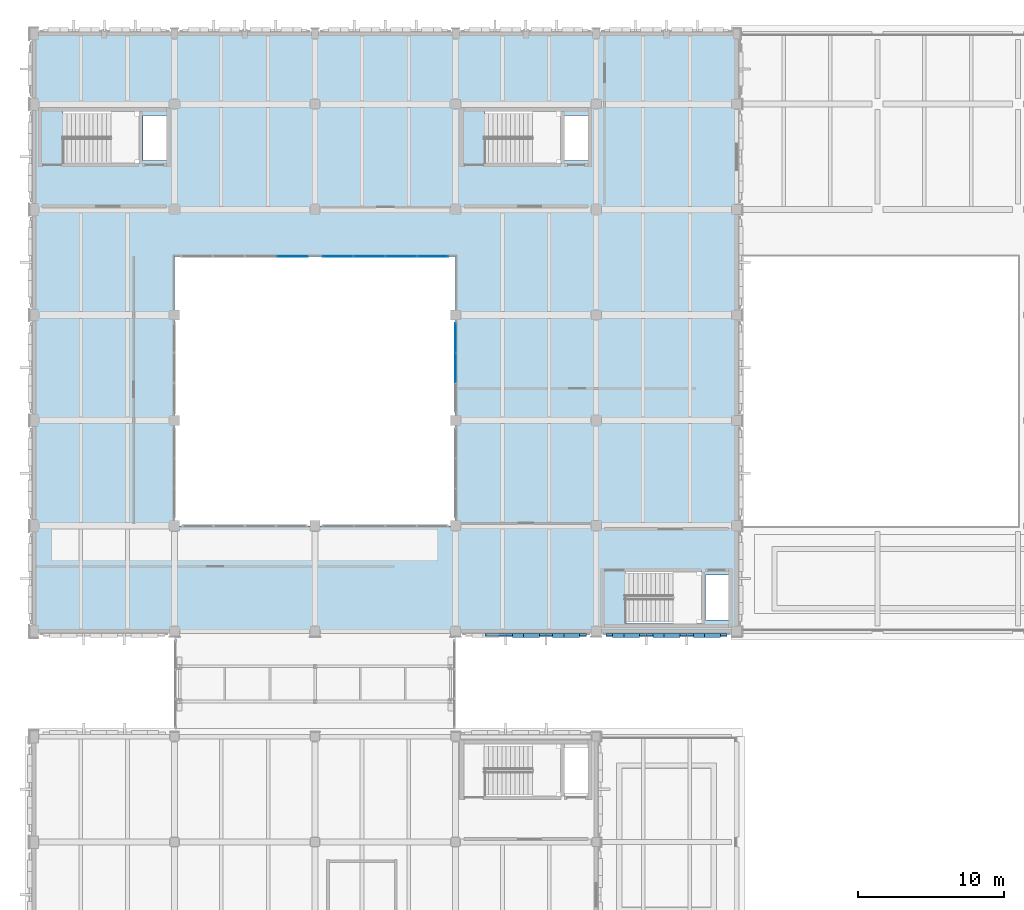
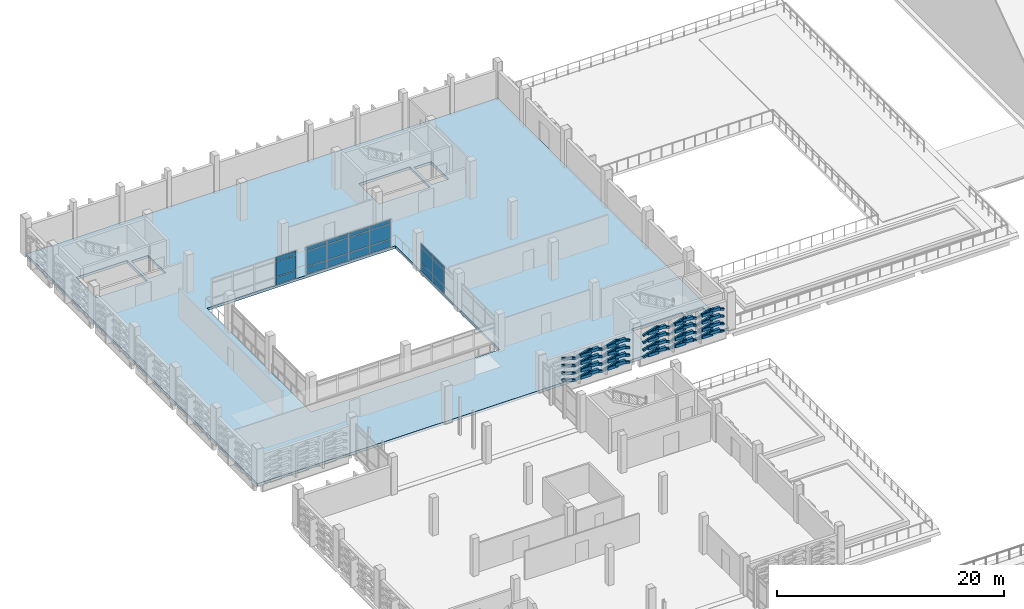
# One storey, part 98 of 134: 105 plates, 1 slab, 3 elements without a shape of their own.
"""IFC4 building model written with IfcOpenShell, lengths in metres."""

from ifc_helpers import new_model, si_unit, direction, frame, origin, origin_2d, place, context, subcontext, project, spatial, polyline, rectangle, hollow_rectangle, outline, extrude, material, layer, layer_set, material_profile, profile_set, type_object, element, aggregate, save


model = new_model("IFC4")

# Units and contexts
model_context = context("Model", 3, precision=1e-05, world=origin(), true_north=direction((0.0, 1.0)))
body_context = subcontext(model_context, "Body", "Model", "MODEL_VIEW")
ifc_project = project(units=[si_unit("LENGTHUNIT", "METRE"), si_unit("AREAUNIT", "SQUARE_METRE"), si_unit("VOLUMEUNIT", "CUBIC_METRE"), si_unit("PLANEANGLEUNIT", "RADIAN"), si_unit("MASSUNIT", "GRAM", prefix="KILO")], contexts=[model_context])

# Site, building, storey
site_placement = place(None, origin())
site = spatial("IfcSite", under=ifc_project, at=site_placement, CompositionType="ELEMENT")
building_placement = place(site_placement, origin())
building = spatial("IfcBuilding", under=site, at=building_placement, Name="Asteropetra Specialist Clinic", CompositionType="ELEMENT")
storey_placement = place(building_placement, frame((0.0, 0.0, 8.5)))
storey = spatial("IfcBuildingStorey", under=building, at=storey_placement, Name="L02", CompositionType="ELEMENT", Elevation=8.5)

# Plates
ifc_material_1 = material(Name="Chevron emerald aluminium 6063-T6", Category="aluminium")
ifc_material_profile = material_profile(ifc_material_1, hollow_rectangle(XDim=0.199951171875, YDim=0.199951171875, WallThickness=0.010009765625, InnerFilletRadius=0.008056640625, OuterFilletRadius=0.01611328125, at=origin_2d()), Name="SHS 200x200x10.0")
ifc_profile_set = profile_set([ifc_material_profile], Name="Chevron emerald aluminium 6063-T6")
plate_type_1 = type_object("IfcPlateType", Name="CHV-RIB-200", PredefinedType="SHEET", material=ifc_profile_set)
for number, where, z_axis, x_axis, name in (
    (1, (30.8466796875, 69.35791015625, 0.484130859375), (0.952436086829, 0.0, -0.304738413241), (0.0, 1.0, 0.0), "Chevron Facade Screen Fin CVR-0932"),
    (2, (30.8466796875, 69.35791015625, 1.254150390625), (0.952436086829, 0.0, -0.304738413241), (0.0, 1.0, 0.0), "Chevron Facade Screen Fin CVR-0934"),
    (3, (30.8466796875, 69.35791015625, 2.05419921875), (0.952436086829, 0.0, -0.304738413241), (0.0, 1.0, 0.0), "Chevron Facade Screen Fin CVR-0936"),
    (4, (30.8466796875, 69.35791015625, 2.833984375), (0.952436086829, 0.0, -0.304738413241), (0.0, 1.0, 0.0), "Chevron Facade Screen Fin CVR-0938"),
    (5, (32.243408203125, 69.35791015625, 0.050048828125), (0.952436086829, 0.0, 0.304738413241), (0.0, 1.0, 0.0), "Chevron Facade Screen Fin CVR-0939"),
    (6, (33.60009765625, 69.35791015625, 0.484130859375), (0.952436086829, 0.0, -0.304738413241), (0.0, 1.0, 0.0), "Chevron Facade Screen Fin CVR-0940"),
    (7, (32.243408203125, 69.35791015625, 0.820068359375), (0.952436086829, 0.0, 0.304738413241), (0.0, 1.0, 0.0), "Chevron Facade Screen Fin CVR-0941"),
    (8, (33.60009765625, 69.35791015625, 1.254150390625), (0.952436086829, 0.0, -0.304738413241), (0.0, 1.0, 0.0), "Chevron Facade Screen Fin CVR-0942"),
    (9, (32.243408203125, 69.35791015625, 1.6201171875), (0.952436086829, 0.0, 0.304738413241), (0.0, 1.0, 0.0), "Chevron Facade Screen Fin CVR-0943"),
    (10, (33.60009765625, 69.35791015625, 2.05419921875), (0.952436086829, 0.0, -0.304738413241), (0.0, 1.0, 0.0), "Chevron Facade Screen Fin CVR-0944"),
    (11, (32.243408203125, 69.35791015625, 2.39990234375), (0.952436086829, 0.0, 0.304738413241), (0.0, 1.0, 0.0), "Chevron Facade Screen Fin CVR-0945"),
    (12, (33.60009765625, 69.35791015625, 2.833984375), (0.952436086829, 0.0, -0.304738413241), (0.0, 1.0, 0.0), "Chevron Facade Screen Fin CVR-0946"),
    (13, (34.99658203125, 69.35791015625, 0.050048828125), (0.952436086829, 0.0, 0.304738413241), (0.0, 1.0, 0.0), "Chevron Facade Screen Fin CVR-0947"),
    (14, (36.353271484375, 69.35791015625, 0.484130859375), (0.952436086829, 0.0, -0.304738413241), (0.0, 1.0, 0.0), "Chevron Facade Screen Fin CVR-0948"),
    (15, (34.99658203125, 69.35791015625, 0.820068359375), (0.952436086829, 0.0, 0.304738413241), (0.0, 1.0, 0.0), "Chevron Facade Screen Fin CVR-0949"),
    (16, (36.353271484375, 69.35791015625, 1.254150390625), (0.952436086829, 0.0, -0.304738413241), (0.0, 1.0, 0.0), "Chevron Facade Screen Fin CVR-0950"),
    (17, (34.99658203125, 69.35791015625, 1.6201171875), (0.952436086829, 0.0, 0.304738413241), (0.0, 1.0, 0.0), "Chevron Facade Screen Fin CVR-0951"),
    (18, (36.353271484375, 69.35791015625, 2.05419921875), (0.952436086829, 0.0, -0.304738413241), (0.0, 1.0, 0.0), "Chevron Facade Screen Fin CVR-0952"),
    (19, (34.99658203125, 69.35791015625, 2.39990234375), (0.952436086829, 0.0, 0.304738413241), (0.0, 1.0, 0.0), "Chevron Facade Screen Fin CVR-0953"),
    (20, (36.353271484375, 69.35791015625, 2.833984375), (0.952436086829, 0.0, -0.304738413241), (0.0, 1.0, 0.0), "Chevron Facade Screen Fin CVR-0954"),
    (21, (39.090087890625, 69.35791015625, 0.050048828125), (0.952436086829, 0.0, 0.304738413241), (0.0, 1.0, 0.0), "Chevron Facade Screen Fin CVR-0979"),
):
    element("IfcPlate", number, at=place(storey_placement, frame(where, z_axis=z_axis, x_axis=x_axis)), inside=storey, type_object=plate_type_1, Name=name, PredefinedType="SHEET", context=body_context, shape_type="SweptSolid", body=[
        extrude(hollow_rectangle(XDim=0.199951171875, YDim=0.199951171875, WallThickness=0.010009765625, InnerFilletRadius=0.008056640625, OuterFilletRadius=0.01611328125, at=origin_2d()), origin(), (0.0, 0.0, 1.0), 1.424560546875),
    ])
plate_1_placement = place(storey_placement, frame((40.44677734375, 69.35791015625, 0.484130859375), z_axis=(0.952420166348, 0.0, -0.304788166985), x_axis=(0.0, 1.0, 0.0)))
element("IfcPlate", 22, at=plate_1_placement, inside=storey, type_object=plate_type_1, Name="Chevron Facade Screen Fin CVR-0980", PredefinedType="SHEET", context=body_context, shape_type="SweptSolid", body=[
    extrude(hollow_rectangle(XDim=0.199951171875, YDim=0.199951171875, WallThickness=0.010009765625, InnerFilletRadius=0.008056640625, OuterFilletRadius=0.01611328125, at=origin_2d()), origin(), (0.0, 0.0, 1.0), 1.42431640625),
])
plate_2_placement = place(storey_placement, frame((39.090087890625, 69.35791015625, 0.820068359375), z_axis=(0.952436086829, 0.0, 0.304738413241), x_axis=(0.0, 1.0, 0.0)))
element("IfcPlate", 23, at=plate_2_placement, inside=storey, type_object=plate_type_1, Name="Chevron Facade Screen Fin CVR-0981", PredefinedType="SHEET", context=body_context, shape_type="SweptSolid", body=[
    extrude(hollow_rectangle(XDim=0.199951171875, YDim=0.199951171875, WallThickness=0.010009765625, InnerFilletRadius=0.008056640625, OuterFilletRadius=0.01611328125, at=origin_2d()), origin(), (0.0, 0.0, 1.0), 1.424560546875),
])
plate_3_placement = place(storey_placement, frame((40.44677734375, 69.35791015625, 1.254150390625), z_axis=(0.952420166348, 0.0, -0.304788166985), x_axis=(0.0, 1.0, 0.0)))
element("IfcPlate", 24, at=plate_3_placement, inside=storey, type_object=plate_type_1, Name="Chevron Facade Screen Fin CVR-0982", PredefinedType="SHEET", context=body_context, shape_type="SweptSolid", body=[
    extrude(hollow_rectangle(XDim=0.199951171875, YDim=0.199951171875, WallThickness=0.010009765625, InnerFilletRadius=0.008056640625, OuterFilletRadius=0.01611328125, at=origin_2d()), origin(), (0.0, 0.0, 1.0), 1.42431640625),
])
plate_4_placement = place(storey_placement, frame((39.090087890625, 69.35791015625, 1.6201171875), z_axis=(0.952436086829, 0.0, 0.304738413241), x_axis=(0.0, 1.0, 0.0)))
element("IfcPlate", 25, at=plate_4_placement, inside=storey, type_object=plate_type_1, Name="Chevron Facade Screen Fin CVR-0983", PredefinedType="SHEET", context=body_context, shape_type="SweptSolid", body=[
    extrude(hollow_rectangle(XDim=0.199951171875, YDim=0.199951171875, WallThickness=0.010009765625, InnerFilletRadius=0.008056640625, OuterFilletRadius=0.01611328125, at=origin_2d()), origin(), (0.0, 0.0, 1.0), 1.424560546875),
])
plate_5_placement = place(storey_placement, frame((40.44677734375, 69.35791015625, 2.05419921875), z_axis=(0.952420166348, 0.0, -0.304788166985), x_axis=(0.0, 1.0, 0.0)))
element("IfcPlate", 26, at=plate_5_placement, inside=storey, type_object=plate_type_1, Name="Chevron Facade Screen Fin CVR-0984", PredefinedType="SHEET", context=body_context, shape_type="SweptSolid", body=[
    extrude(hollow_rectangle(XDim=0.199951171875, YDim=0.199951171875, WallThickness=0.010009765625, InnerFilletRadius=0.008056640625, OuterFilletRadius=0.01611328125, at=origin_2d()), origin(), (0.0, 0.0, 1.0), 1.42431640625),
])
plate_6_placement = place(storey_placement, frame((39.090087890625, 69.35791015625, 2.39990234375), z_axis=(0.952436086829, 0.0, 0.304738413241), x_axis=(0.0, 1.0, 0.0)))
element("IfcPlate", 27, at=plate_6_placement, inside=storey, type_object=plate_type_1, Name="Chevron Facade Screen Fin CVR-0985", PredefinedType="SHEET", context=body_context, shape_type="SweptSolid", body=[
    extrude(hollow_rectangle(XDim=0.199951171875, YDim=0.199951171875, WallThickness=0.010009765625, InnerFilletRadius=0.008056640625, OuterFilletRadius=0.01611328125, at=origin_2d()), origin(), (0.0, 0.0, 1.0), 1.424560546875),
])
plate_7_placement = place(storey_placement, frame((40.44677734375, 69.35791015625, 2.833984375), z_axis=(0.952420166348, 0.0, -0.304788166985), x_axis=(0.0, 1.0, 0.0)))
element("IfcPlate", 28, at=plate_7_placement, inside=storey, type_object=plate_type_1, Name="Chevron Facade Screen Fin CVR-0986", PredefinedType="SHEET", context=body_context, shape_type="SweptSolid", body=[
    extrude(hollow_rectangle(XDim=0.199951171875, YDim=0.199951171875, WallThickness=0.010009765625, InnerFilletRadius=0.008056640625, OuterFilletRadius=0.01611328125, at=origin_2d()), origin(), (0.0, 0.0, 1.0), 1.42431640625),
])
for number, where, z_axis, x_axis, name in (
    (29, (41.84326171875, 69.35791015625, 0.050048828125), (0.952436086829, 0.0, 0.304738413241), (0.0, 1.0, 0.0), "Chevron Facade Screen Fin CVR-0987"),
    (30, (43.199951171875, 69.35791015625, 0.484130859375), (0.952436086829, 0.0, -0.304738413241), (0.0, 1.0, 0.0), "Chevron Facade Screen Fin CVR-0988"),
    (31, (41.84326171875, 69.35791015625, 0.820068359375), (0.952436086829, 0.0, 0.304738413241), (0.0, 1.0, 0.0), "Chevron Facade Screen Fin CVR-0989"),
    (32, (43.199951171875, 69.35791015625, 1.254150390625), (0.952436086829, 0.0, -0.304738413241), (0.0, 1.0, 0.0), "Chevron Facade Screen Fin CVR-0990"),
    (33, (41.84326171875, 69.35791015625, 1.6201171875), (0.952436086829, 0.0, 0.304738413241), (0.0, 1.0, 0.0), "Chevron Facade Screen Fin CVR-0991"),
    (34, (43.199951171875, 69.35791015625, 2.05419921875), (0.952436086829, 0.0, -0.304738413241), (0.0, 1.0, 0.0), "Chevron Facade Screen Fin CVR-0992"),
    (35, (41.84326171875, 69.35791015625, 2.39990234375), (0.952436086829, 0.0, 0.304738413241), (0.0, 1.0, 0.0), "Chevron Facade Screen Fin CVR-0993"),
    (36, (43.199951171875, 69.35791015625, 2.833984375), (0.952436086829, 0.0, -0.304738413241), (0.0, 1.0, 0.0), "Chevron Facade Screen Fin CVR-0994"),
    (37, (44.5966796875, 69.35791015625, 0.050048828125), (0.952436086829, 0.0, 0.304738413241), (0.0, 1.0, 0.0), "Chevron Facade Screen Fin CVR-0995"),
    (38, (45.953369140625, 69.35791015625, 0.484130859375), (0.952436086829, 0.0, -0.304738413241), (0.0, 1.0, 0.0), "Chevron Facade Screen Fin CVR-0996"),
    (39, (44.5966796875, 69.35791015625, 0.820068359375), (0.952436086829, 0.0, 0.304738413241), (0.0, 1.0, 0.0), "Chevron Facade Screen Fin CVR-0997"),
    (40, (45.953369140625, 69.35791015625, 1.254150390625), (0.952436086829, 0.0, -0.304738413241), (0.0, 1.0, 0.0), "Chevron Facade Screen Fin CVR-0998"),
    (41, (44.5966796875, 69.35791015625, 1.6201171875), (0.952436086829, 0.0, 0.304738413241), (0.0, 1.0, 0.0), "Chevron Facade Screen Fin CVR-0999"),
    (42, (45.953369140625, 69.35791015625, 2.05419921875), (0.952436086829, 0.0, -0.304738413241), (0.0, 1.0, 0.0), "Chevron Facade Screen Fin CVR-1000"),
    (43, (44.5966796875, 69.35791015625, 2.39990234375), (0.952436086829, 0.0, 0.304738413241), (0.0, 1.0, 0.0), "Chevron Facade Screen Fin CVR-1001"),
    (44, (45.953369140625, 69.35791015625, 2.833984375), (0.952436086829, 0.0, -0.304738413241), (0.0, 1.0, 0.0), "Chevron Facade Screen Fin CVR-1002"),
):
    element("IfcPlate", number, at=place(storey_placement, frame(where, z_axis=z_axis, x_axis=x_axis)), inside=storey, type_object=plate_type_1, Name=name, PredefinedType="SHEET", context=body_context, shape_type="SweptSolid", body=[
        extrude(hollow_rectangle(XDim=0.199951171875, YDim=0.199951171875, WallThickness=0.010009765625, InnerFilletRadius=0.008056640625, OuterFilletRadius=0.01611328125, at=origin_2d()), origin(), (0.0, 0.0, 1.0), 1.424560546875),
    ])

# Curtain wall, plates
ifc_material_2 = material(Name="Aluminium and low-E glass", Category="aluminium")
ifc_layer_1 = layer(ifc_material_2, 0.179931640625)
ifc_layer_set_1 = layer_set([ifc_layer_1], Name="Aluminium and low-E glass")
curtain_wall_type_1 = type_object("IfcCurtainWallType", Name="CW-SYS-04", PredefinedType="USERDEFINED", material=ifc_layer_set_1)
curtain_wall_1_placement = place(storey_placement, origin())
curtain_wall_1 = element("IfcCurtainWall", 45, at=curtain_wall_1_placement, inside=storey, type_object=curtain_wall_type_1, Name="Curtain Wall CW-036", ObjectType="UNITISED CURTAIN WALL", PredefinedType="USERDEFINED")
ifc_material_3 = material(Name="Low-E double glazing", Category="glass")
ifc_layer_2 = layer(ifc_material_3, 0.028076171875)
ifc_layer_set_2 = layer_set([ifc_layer_2], Name="Low-E double glazing")
plate_type_2 = type_object("IfcPlateType", Name="CWP-GLZ-28", PredefinedType="CURTAIN_PANEL", material=ifc_layer_set_2)
plate_8_placement = place(storey_placement, frame((27.251220703125, 95.199951171875, 0.074951171875), z_axis=(0.0, 0.0, 1.0), x_axis=(-1.0, 0.0, 0.0)))
plate_8 = element("IfcPlate", 46, at=plate_8_placement, type_object=plate_type_2, Name="CW-036 panel 1.1", PredefinedType="CURTAIN_PANEL", context=body_context, shape_type="SweptSolid", body=[
    extrude(rectangle(XDim=2.0673828125, YDim=0.028076171875, at=origin_2d()), origin(), (0.0, 0.0, 1.0), 0.78759765625),
])
plate_9_placement = place(storey_placement, frame((27.251220703125, 95.199951171875, 0.9375), z_axis=(0.0, 0.0, 1.0), x_axis=(-1.0, 0.0, 0.0)))
plate_9 = element("IfcPlate", 47, at=plate_9_placement, type_object=plate_type_2, Name="CW-036 panel 1.2", PredefinedType="CURTAIN_PANEL", context=body_context, shape_type="SweptSolid", body=[
    extrude(rectangle(XDim=2.0673828125, YDim=0.028076171875, at=origin_2d()), origin(), (0.0, 0.0, 1.0), 1.60498046875),
])
plate_10_placement = place(storey_placement, frame((27.251220703125, 95.199951171875, 2.61767578125), z_axis=(0.0, 0.0, 1.0), x_axis=(-1.0, 0.0, 0.0)))
plate_10 = element("IfcPlate", 48, at=plate_10_placement, type_object=plate_type_2, Name="CW-036 panel 1.3", PredefinedType="CURTAIN_PANEL", context=body_context, shape_type="SweptSolid", body=[
    extrude(rectangle(XDim=2.0673828125, YDim=0.028076171875, at=origin_2d()), origin(), (0.0, 0.0, 1.0), 0.387451171875),
])
plate_11_placement = place(storey_placement, frame((25.090087890625, 95.199951171875, 0.074951171875), z_axis=(0.0, 0.0, 1.0), x_axis=(-1.0, 0.0, 0.0)))
plate_11 = element("IfcPlate", 49, at=plate_11_placement, type_object=plate_type_2, Name="CW-036 panel 2.1", PredefinedType="CURTAIN_PANEL", context=body_context, shape_type="SweptSolid", body=[
    extrude(rectangle(XDim=2.10498046875, YDim=0.028076171875, at=origin_2d()), origin(), (0.0, 0.0, 1.0), 0.78759765625),
])
plate_12_placement = place(storey_placement, frame((25.090087890625, 95.199951171875, 0.9375), z_axis=(0.0, 0.0, 1.0), x_axis=(-1.0, 0.0, 0.0)))
plate_12 = element("IfcPlate", 50, at=plate_12_placement, type_object=plate_type_2, Name="CW-036 panel 2.2", PredefinedType="CURTAIN_PANEL", context=body_context, shape_type="SweptSolid", body=[
    extrude(rectangle(XDim=2.10498046875, YDim=0.028076171875, at=origin_2d()), origin(), (0.0, 0.0, 1.0), 1.60498046875),
])
plate_13_placement = place(storey_placement, frame((25.090087890625, 95.199951171875, 2.61767578125), z_axis=(0.0, 0.0, 1.0), x_axis=(-1.0, 0.0, 0.0)))
plate_13 = element("IfcPlate", 51, at=plate_13_placement, type_object=plate_type_2, Name="CW-036 panel 2.3", PredefinedType="CURTAIN_PANEL", context=body_context, shape_type="SweptSolid", body=[
    extrude(rectangle(XDim=2.10498046875, YDim=0.028076171875, at=origin_2d()), origin(), (0.0, 0.0, 1.0), 0.387451171875),
])
plate_14_placement = place(storey_placement, frame((22.909912109375, 95.199951171875, 0.074951171875), z_axis=(0.0, 0.0, 1.0), x_axis=(-1.0, 0.0, 0.0)))
plate_14 = element("IfcPlate", 52, at=plate_14_placement, type_object=plate_type_2, Name="CW-036 panel 3.1", PredefinedType="CURTAIN_PANEL", context=body_context, shape_type="SweptSolid", body=[
    extrude(rectangle(XDim=2.10498046875, YDim=0.028076171875, at=origin_2d()), origin(), (0.0, 0.0, 1.0), 0.78759765625),
])
plate_15_placement = place(storey_placement, frame((22.909912109375, 95.199951171875, 0.9375), z_axis=(0.0, 0.0, 1.0), x_axis=(-1.0, 0.0, 0.0)))
plate_15 = element("IfcPlate", 53, at=plate_15_placement, type_object=plate_type_2, Name="CW-036 panel 3.2", PredefinedType="CURTAIN_PANEL", context=body_context, shape_type="SweptSolid", body=[
    extrude(rectangle(XDim=2.10498046875, YDim=0.028076171875, at=origin_2d()), origin(), (0.0, 0.0, 1.0), 1.60498046875),
])
plate_16_placement = place(storey_placement, frame((22.909912109375, 95.199951171875, 2.61767578125), z_axis=(0.0, 0.0, 1.0), x_axis=(-1.0, 0.0, 0.0)))
plate_16 = element("IfcPlate", 54, at=plate_16_placement, type_object=plate_type_2, Name="CW-036 panel 3.3", PredefinedType="CURTAIN_PANEL", context=body_context, shape_type="SweptSolid", body=[
    extrude(rectangle(XDim=2.10498046875, YDim=0.028076171875, at=origin_2d()), origin(), (0.0, 0.0, 1.0), 0.387451171875),
])
plate_17_placement = place(storey_placement, frame((20.748779296875, 95.199951171875, 0.074951171875), z_axis=(0.0, 0.0, 1.0), x_axis=(-1.0, 0.0, 0.0)))
plate_17 = element("IfcPlate", 55, at=plate_17_placement, type_object=plate_type_2, Name="CW-036 panel 4.1", PredefinedType="CURTAIN_PANEL", context=body_context, shape_type="SweptSolid", body=[
    extrude(rectangle(XDim=2.0673828125, YDim=0.028076171875, at=origin_2d()), origin(), (0.0, 0.0, 1.0), 0.78759765625),
])
plate_18_placement = place(storey_placement, frame((20.748779296875, 95.199951171875, 0.9375), z_axis=(0.0, 0.0, 1.0), x_axis=(-1.0, 0.0, 0.0)))
plate_18 = element("IfcPlate", 56, at=plate_18_placement, type_object=plate_type_2, Name="CW-036 panel 4.2", PredefinedType="CURTAIN_PANEL", context=body_context, shape_type="SweptSolid", body=[
    extrude(rectangle(XDim=2.0673828125, YDim=0.028076171875, at=origin_2d()), origin(), (0.0, 0.0, 1.0), 1.60498046875),
])
plate_19_placement = place(storey_placement, frame((20.748779296875, 95.199951171875, 2.61767578125), z_axis=(0.0, 0.0, 1.0), x_axis=(-1.0, 0.0, 0.0)))
plate_19 = element("IfcPlate", 57, at=plate_19_placement, type_object=plate_type_2, Name="CW-036 panel 4.3", PredefinedType="CURTAIN_PANEL", context=body_context, shape_type="SweptSolid", body=[
    extrude(rectangle(XDim=2.0673828125, YDim=0.028076171875, at=origin_2d()), origin(), (0.0, 0.0, 1.0), 0.387451171875),
])
aggregate(curtain_wall_1, [plate_8, plate_9, plate_10, plate_11, plate_12, plate_13, plate_14, plate_15, plate_16, plate_17, plate_18, plate_19])

ifc_material_4 = material(Name="Aluminium and low-E glass", Category="aluminium")
ifc_layer_3 = layer(ifc_material_4, 0.135009765625)
ifc_layer_set_3 = layer_set([ifc_layer_3], Name="Aluminium and low-E glass")
curtain_wall_type_2 = type_object("IfcCurtainWallType", Name="CW-SYS-06", PredefinedType="USERDEFINED", material=ifc_layer_set_3)
curtain_wall_2_placement = place(storey_placement, origin())
curtain_wall_2 = element("IfcCurtainWall", 58, at=curtain_wall_2_placement, inside=storey, type_object=curtain_wall_type_2, Name="Curtain Wall CW-040", ObjectType="UNITISED CURTAIN WALL", PredefinedType="USERDEFINED")
plate_20_placement = place(storey_placement, frame((28.800048828125, 87.60009765625, 0.06494140625), z_axis=(0.0, 0.0, 1.0), x_axis=(0.0, 1.0, 0.0)))
plate_20 = element("IfcPlate", 59, at=plate_20_placement, type_object=plate_type_2, Name="CW-040 panel 2.1", PredefinedType="CURTAIN_PANEL", context=body_context, shape_type="SweptSolid", body=[
    extrude(rectangle(XDim=1.9951171875, YDim=0.028076171875, at=origin_2d()), origin(), (0.0, 0.0, 1.0), 0.802490234375),
])
plate_21_placement = place(storey_placement, frame((28.800048828125, 87.60009765625, 0.9326171875), z_axis=(0.0, 0.0, 1.0), x_axis=(0.0, 1.0, 0.0)))
plate_21 = element("IfcPlate", 60, at=plate_21_placement, type_object=plate_type_2, Name="CW-040 panel 2.2", PredefinedType="CURTAIN_PANEL", context=body_context, shape_type="SweptSolid", body=[
    extrude(rectangle(XDim=1.9951171875, YDim=0.028076171875, at=origin_2d()), origin(), (0.0, 0.0, 1.0), 1.614990234375),
])
plate_22_placement = place(storey_placement, frame((28.800048828125, 87.60009765625, 2.6123046875), z_axis=(0.0, 0.0, 1.0), x_axis=(0.0, 1.0, 0.0)))
plate_22 = element("IfcPlate", 61, at=plate_22_placement, type_object=plate_type_2, Name="CW-040 panel 2.3", PredefinedType="CURTAIN_PANEL", context=body_context, shape_type="SweptSolid", body=[
    extrude(rectangle(XDim=1.9951171875, YDim=0.028076171875, at=origin_2d()), origin(), (0.0, 0.0, 1.0), 0.402587890625),
])
plate_23_placement = place(storey_placement, frame((28.800048828125, 89.643798828125, 0.06494140625), z_axis=(0.0, 0.0, 1.0), x_axis=(0.0, 1.0, 0.0)))
plate_23 = element("IfcPlate", 62, at=plate_23_placement, type_object=plate_type_2, Name="CW-040 panel 3.1", PredefinedType="CURTAIN_PANEL", context=body_context, shape_type="SweptSolid", body=[
    extrude(rectangle(XDim=1.96240234375, YDim=0.028076171875, at=origin_2d()), origin(), (0.0, 0.0, 1.0), 0.802490234375),
])
plate_24_placement = place(storey_placement, frame((28.800048828125, 89.643798828125, 0.9326171875), z_axis=(0.0, 0.0, 1.0), x_axis=(0.0, 1.0, 0.0)))
plate_24 = element("IfcPlate", 63, at=plate_24_placement, type_object=plate_type_2, Name="CW-040 panel 3.2", PredefinedType="CURTAIN_PANEL", context=body_context, shape_type="SweptSolid", body=[
    extrude(rectangle(XDim=1.96240234375, YDim=0.028076171875, at=origin_2d()), origin(), (0.0, 0.0, 1.0), 1.614990234375),
])
plate_25_placement = place(storey_placement, frame((28.800048828125, 89.643798828125, 2.6123046875), z_axis=(0.0, 0.0, 1.0), x_axis=(0.0, 1.0, 0.0)))
plate_25 = element("IfcPlate", 64, at=plate_25_placement, type_object=plate_type_2, Name="CW-040 panel 3.3", PredefinedType="CURTAIN_PANEL", context=body_context, shape_type="SweptSolid", body=[
    extrude(rectangle(XDim=1.96240234375, YDim=0.028076171875, at=origin_2d()), origin(), (0.0, 0.0, 1.0), 0.402587890625),
])
aggregate(curtain_wall_2, [plate_20, plate_21, plate_22, plate_23, plate_24, plate_25])

ifc_material_5 = material(Name="Aluminium and low-E glass", Category="aluminium")
ifc_layer_4 = layer(ifc_material_5, 0.135009765625)
ifc_layer_set_4 = layer_set([ifc_layer_4], Name="Aluminium and low-E glass")
curtain_wall_type_3 = type_object("IfcCurtainWallType", Name="CW-SYS-03", PredefinedType="USERDEFINED", material=ifc_layer_set_4)
curtain_wall_3_placement = place(storey_placement, origin())
curtain_wall_3 = element("IfcCurtainWall", 65, at=curtain_wall_3_placement, inside=storey, type_object=curtain_wall_type_3, Name="Curtain Wall CW-034", ObjectType="UNITISED CURTAIN WALL", PredefinedType="USERDEFINED")
ifc_material_6 = material(Name="Solar-control triple glazing", Category="glass")
ifc_layer_5 = layer(ifc_material_6, 0.035888671875)
ifc_layer_set_5 = layer_set([ifc_layer_5], Name="Solar-control triple glazing")
plate_type_3 = type_object("IfcPlateType", Name="CWP-GLZ-36", PredefinedType="CURTAIN_PANEL", material=ifc_layer_set_5)
plate_26_placement = place(storey_placement, frame((17.65380859375, 95.199951171875, 0.06494140625), z_axis=(0.0, 0.0, 1.0), x_axis=(-1.0, 0.0, 0.0)))
plate_26 = element("IfcPlate", 66, at=plate_26_placement, type_object=plate_type_3, Name="CW-034 panel 1.1", PredefinedType="CURTAIN_PANEL", context=body_context, shape_type="SweptSolid", body=[
    extrude(rectangle(XDim=2.08251953125, YDim=0.035888671875, at=origin_2d()), origin(), (0.0, 0.0, 1.0), 0.802490234375),
])
plate_27_placement = place(storey_placement, frame((17.65380859375, 95.199951171875, 0.9326171875), z_axis=(0.0, 0.0, 1.0), x_axis=(-1.0, 0.0, 0.0)))
plate_27 = element("IfcPlate", 67, at=plate_27_placement, type_object=plate_type_3, Name="CW-034 panel 1.2", PredefinedType="CURTAIN_PANEL", context=body_context, shape_type="SweptSolid", body=[
    extrude(rectangle(XDim=2.08251953125, YDim=0.035888671875, at=origin_2d()), origin(), (0.0, 0.0, 1.0), 1.614990234375),
])
plate_28_placement = place(storey_placement, frame((17.65380859375, 95.199951171875, 2.6123046875), z_axis=(0.0, 0.0, 1.0), x_axis=(-1.0, 0.0, 0.0)))
plate_28 = element("IfcPlate", 68, at=plate_28_placement, type_object=plate_type_3, Name="CW-034 panel 1.3", PredefinedType="CURTAIN_PANEL", context=body_context, shape_type="SweptSolid", body=[
    extrude(rectangle(XDim=2.08251953125, YDim=0.035888671875, at=origin_2d()), origin(), (0.0, 0.0, 1.0), 0.402587890625),
])
aggregate(curtain_wall_3, [plate_26, plate_27, plate_28])

# Plates
ifc_material_7 = material(Name="Aluminium 6063-T6", Category="aluminium")
ifc_layer_6 = layer(ifc_material_7, 0.139892578125)
ifc_layer_set_6 = layer_set([ifc_layer_6], Name="Aluminium 6063-T6")
plate_type_4 = type_object("IfcPlateType", Name="PLT-CHV-TILE", PredefinedType="SHEET", material=ifc_layer_set_6)
for number, where, z_axis, x_axis, name in (
    (69, (33.22021484375, 69.320068359375, 0.0302734375), (0.0, 0.0, 1.0), (1.0, 0.0, 0.0), "Chevron Ceramic Panel CPT-0593"),
    (70, (33.97998046875, 69.320068359375, 0.1953125), (0.0, 0.0, 1.0), (1.0, 0.0, 0.0), "Chevron Ceramic Panel CPT-0594"),
    (71, (33.22021484375, 69.320068359375, 0.80029296875), (0.0, 0.0, 1.0), (1.0, 0.0, 0.0), "Chevron Ceramic Panel CPT-0595"),
    (72, (33.97998046875, 69.320068359375, 0.96533203125), (0.0, 0.0, 1.0), (1.0, 0.0, 0.0), "Chevron Ceramic Panel CPT-0596"),
    (73, (33.22021484375, 69.320068359375, 1.60009765625), (0.0, 0.0, 1.0), (1.0, 0.0, 0.0), "Chevron Ceramic Panel CPT-0597"),
    (74, (33.97998046875, 69.320068359375, 1.76513671875), (0.0, 0.0, 1.0), (1.0, 0.0, 0.0), "Chevron Ceramic Panel CPT-0598"),
    (75, (33.22021484375, 69.320068359375, 2.38037109375), (0.0, 0.0, 1.0), (1.0, 0.0, 0.0), "Chevron Ceramic Panel CPT-0599"),
    (76, (33.97998046875, 69.320068359375, 2.54541015625), (0.0, 0.0, 1.0), (1.0, 0.0, 0.0), "Chevron Ceramic Panel CPT-0600"),
    (77, (35.973388671875, 69.320068359375, 0.0302734375), (0.0, 0.0, 1.0), (1.0, 0.0, 0.0), "Chevron Ceramic Panel CPT-0601"),
    (78, (36.733154296875, 69.320068359375, 0.1953125), (0.0, 0.0, 1.0), (1.0, 0.0, 0.0), "Chevron Ceramic Panel CPT-0602"),
    (79, (35.973388671875, 69.320068359375, 0.80029296875), (0.0, 0.0, 1.0), (1.0, 0.0, 0.0), "Chevron Ceramic Panel CPT-0603"),
    (80, (36.733154296875, 69.320068359375, 0.96533203125), (0.0, 0.0, 1.0), (1.0, 0.0, 0.0), "Chevron Ceramic Panel CPT-0604"),
    (81, (35.973388671875, 69.320068359375, 1.60009765625), (0.0, 0.0, 1.0), (1.0, 0.0, 0.0), "Chevron Ceramic Panel CPT-0605"),
    (82, (36.733154296875, 69.320068359375, 1.76513671875), (0.0, 0.0, 1.0), (1.0, 0.0, 0.0), "Chevron Ceramic Panel CPT-0606"),
    (83, (35.973388671875, 69.320068359375, 2.38037109375), (0.0, 0.0, 1.0), (1.0, 0.0, 0.0), "Chevron Ceramic Panel CPT-0607"),
    (84, (36.733154296875, 69.320068359375, 2.54541015625), (0.0, 0.0, 1.0), (1.0, 0.0, 0.0), "Chevron Ceramic Panel CPT-0608"),
    (85, (40.06689453125, 69.320068359375, 0.0302734375), (0.0, 0.0, 1.0), (1.0, 0.0, 0.0), "Chevron Ceramic Panel CPT-0641"),
    (86, (40.826416015625, 69.320068359375, 0.1953125), (0.0, 0.0, 1.0), (1.0, 0.0, 0.0), "Chevron Ceramic Panel CPT-0642"),
    (87, (40.06689453125, 69.320068359375, 0.80029296875), (0.0, 0.0, 1.0), (1.0, 0.0, 0.0), "Chevron Ceramic Panel CPT-0643"),
    (88, (40.826416015625, 69.320068359375, 0.96533203125), (0.0, 0.0, 1.0), (1.0, 0.0, 0.0), "Chevron Ceramic Panel CPT-0644"),
    (89, (40.06689453125, 69.320068359375, 1.60009765625), (0.0, 0.0, 1.0), (1.0, 0.0, 0.0), "Chevron Ceramic Panel CPT-0645"),
    (90, (40.826416015625, 69.320068359375, 1.76513671875), (0.0, 0.0, 1.0), (1.0, 0.0, 0.0), "Chevron Ceramic Panel CPT-0646"),
    (91, (40.06689453125, 69.320068359375, 2.38037109375), (0.0, 0.0, 1.0), (1.0, 0.0, 0.0), "Chevron Ceramic Panel CPT-0647"),
    (92, (40.826416015625, 69.320068359375, 2.54541015625), (0.0, 0.0, 1.0), (1.0, 0.0, 0.0), "Chevron Ceramic Panel CPT-0648"),
    (93, (42.820068359375, 69.320068359375, 0.0302734375), (0.0, 0.0, 1.0), (1.0, 0.0, 0.0), "Chevron Ceramic Panel CPT-0649"),
    (94, (43.579833984375, 69.320068359375, 0.1953125), (0.0, 0.0, 1.0), (1.0, 0.0, 0.0), "Chevron Ceramic Panel CPT-0650"),
    (95, (42.820068359375, 69.320068359375, 0.80029296875), (0.0, 0.0, 1.0), (1.0, 0.0, 0.0), "Chevron Ceramic Panel CPT-0651"),
    (96, (43.579833984375, 69.320068359375, 0.96533203125), (0.0, 0.0, 1.0), (1.0, 0.0, 0.0), "Chevron Ceramic Panel CPT-0652"),
    (97, (42.820068359375, 69.320068359375, 1.60009765625), (0.0, 0.0, 1.0), (1.0, 0.0, 0.0), "Chevron Ceramic Panel CPT-0653"),
    (98, (43.579833984375, 69.320068359375, 1.76513671875), (0.0, 0.0, 1.0), (1.0, 0.0, 0.0), "Chevron Ceramic Panel CPT-0654"),
    (99, (42.820068359375, 69.320068359375, 2.38037109375), (0.0, 0.0, 1.0), (1.0, 0.0, 0.0), "Chevron Ceramic Panel CPT-0655"),
    (100, (43.579833984375, 69.320068359375, 2.54541015625), (0.0, 0.0, 1.0), (1.0, 0.0, 0.0), "Chevron Ceramic Panel CPT-0656"),
    (101, (45.573486328125, 69.320068359375, 0.0302734375), (0.0, 0.0, 1.0), (1.0, 0.0, 0.0), "Chevron Ceramic Panel CPT-0657"),
    (102, (46.333251953125, 69.320068359375, 0.1953125), (0.0, 0.0, 1.0), (1.0, 0.0, 0.0), "Chevron Ceramic Panel CPT-0658"),
    (103, (45.573486328125, 69.320068359375, 0.80029296875), (0.0, 0.0, 1.0), (1.0, 0.0, 0.0), "Chevron Ceramic Panel CPT-0659"),
    (104, (46.333251953125, 69.320068359375, 0.96533203125), (0.0, 0.0, 1.0), (1.0, 0.0, 0.0), "Chevron Ceramic Panel CPT-0660"),
    (105, (45.573486328125, 69.320068359375, 1.60009765625), (0.0, 0.0, 1.0), (1.0, 0.0, 0.0), "Chevron Ceramic Panel CPT-0661"),
    (106, (46.333251953125, 69.320068359375, 1.76513671875), (0.0, 0.0, 1.0), (1.0, 0.0, 0.0), "Chevron Ceramic Panel CPT-0662"),
    (107, (45.573486328125, 69.320068359375, 2.38037109375), (0.0, 0.0, 1.0), (1.0, 0.0, 0.0), "Chevron Ceramic Panel CPT-0663"),
    (108, (46.333251953125, 69.320068359375, 2.54541015625), (0.0, 0.0, 1.0), (1.0, 0.0, 0.0), "Chevron Ceramic Panel CPT-0664"),
):
    element("IfcPlate", number, at=place(storey_placement, frame(where, z_axis=z_axis, x_axis=x_axis)), inside=storey, type_object=plate_type_4, Name=name, PredefinedType="SHEET", context=body_context, shape_type="SweptSolid", body=[
        extrude(rectangle(XDim=1.0849609375, YDim=0.280029296875, at=origin_2d()), origin(), (0.0, 0.0, 1.0), 0.300048828125),
    ])

# Slab
ifc_material_8 = material(Name="Concrete C35/45", Category="concrete")
ifc_layer_7 = layer(ifc_material_8, 0.280029296875)
ifc_layer_set_7 = layer_set([ifc_layer_7], Name="Concrete C35/45")
slab_type = type_object("IfcSlabType", Name="SLB-FLR-280", PredefinedType="FLOOR", material=ifc_layer_set_7)
slab_placement = place(storey_placement, frame((0.0, 0.0, -0.280029296875)))
element("IfcSlab", 109, at=slab_placement, inside=storey, type_object=slab_type, Name="Slab V4 L02", PredefinedType="FLOOR", context=body_context, shape_type="SweptSolid", body=[
    extrude(outline(polyline([(0.0, 69.60009765625), (48.0, 69.60009765625), (48.0, 110.39990234375), (0.0, 110.39990234375), (0.0, 69.60009765625)]), holes=[polyline([(9.60009765625, 76.800048828125), (28.800048828125, 76.800048828125), (28.800048828125, 95.199951171875), (9.60009765625, 95.199951171875), (9.60009765625, 76.800048828125)]), polyline([(2.0, 101.5), (7.179931640625, 101.5), (7.179931640625, 105.080078125), (2.0, 105.080078125), (2.0, 101.5)]), polyline([(7.449951171875, 101.75), (9.199951171875, 101.75), (9.199951171875, 104.830078125), (7.449951171875, 104.830078125), (7.449951171875, 101.75)]), polyline([(30.800048828125, 101.5), (35.97998046875, 101.5), (35.97998046875, 105.080078125), (30.800048828125, 105.080078125), (30.800048828125, 101.5)]), polyline([(36.25, 101.75), (38.0, 101.75), (38.0, 104.830078125), (36.25, 104.830078125), (36.25, 101.75)]), polyline([(40.39990234375, 70.1201171875), (45.580078125, 70.1201171875), (45.580078125, 73.699951171875), (40.39990234375, 73.699951171875), (40.39990234375, 70.1201171875)]), polyline([(45.85009765625, 70.3701171875), (47.550048828125, 70.3701171875), (47.550048828125, 73.449951171875), (45.85009765625, 73.449951171875), (45.85009765625, 70.3701171875)])]), origin(), (0.0, 0.0, 1.0), 0.280029296875),
])

save(model, "model.ifc")
